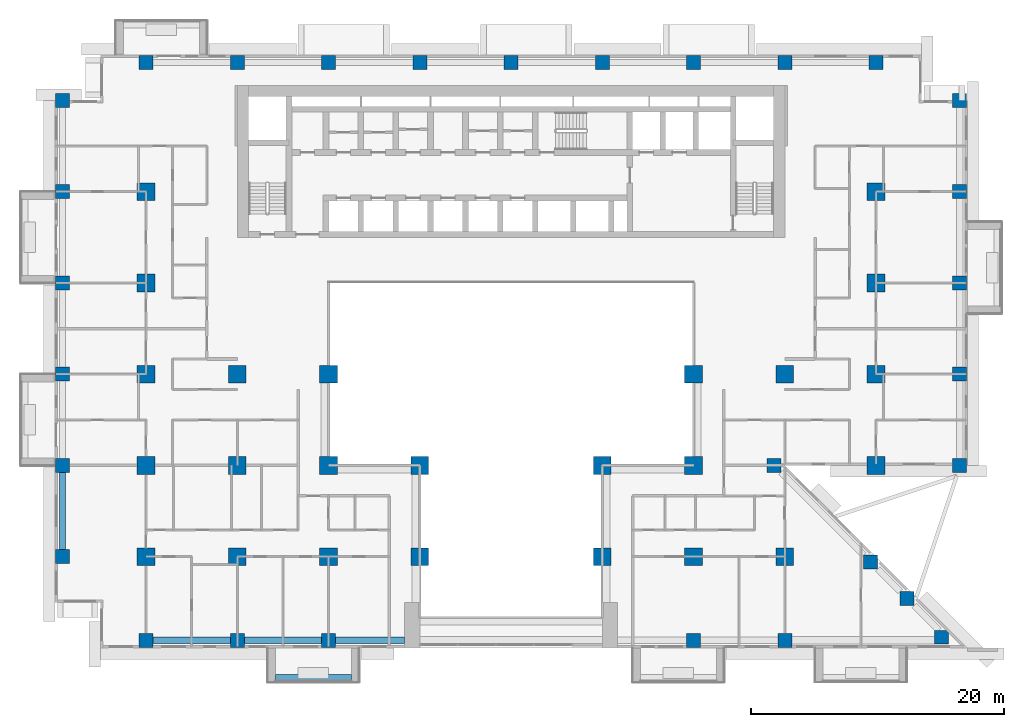
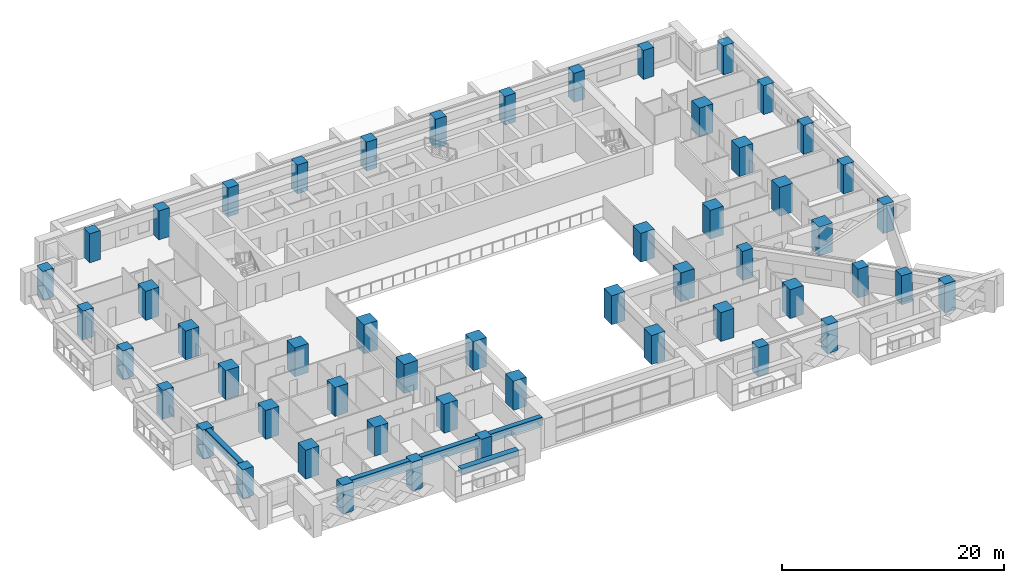
# One storey, part 1 of 17: 53 columns, 5 beams.
"""IFC4 building model written with IfcOpenShell, lengths in metres."""

from ifc_helpers import new_model, si_unit, direction, frame, origin, origin_2d, place, context, subcontext, project, spatial, rectangle, extrude, source, transform, mapped, material, material_profile, profile_set, type_object, element, save


model = new_model("IFC4")

# Units and contexts
model_context = context("Model", 3, precision=1e-05, world=origin(), true_north=direction((0.0, 1.0)))
body_context = subcontext(model_context, "Body", "Model", "MODEL_VIEW")
ifc_project = project(units=[si_unit("LENGTHUNIT", "METRE"), si_unit("AREAUNIT", "SQUARE_METRE"), si_unit("VOLUMEUNIT", "CUBIC_METRE"), si_unit("PLANEANGLEUNIT", "RADIAN"), si_unit("MASSUNIT", "GRAM", prefix="KILO")], contexts=[model_context])

# Site, building, storey
site_placement = place(None, origin())
site = spatial("IfcSite", under=ifc_project, at=site_placement, CompositionType="ELEMENT")
building_placement = place(site_placement, origin())
building = spatial("IfcBuilding", under=site, at=building_placement, Name="Saffron Iwan Residences", CompositionType="ELEMENT")
storey_placement = place(building_placement, frame((0.0, 0.0, 58.5)))
storey = spatial("IfcBuildingStorey", under=building, at=storey_placement, Name="L14", CompositionType="ELEMENT", Elevation=58.5)

# Columns
ifc_material_1 = material(Name="Concrete C60/75", Category="concrete")
ifc_material_profile_1 = material_profile(ifc_material_1, rectangle(XDim=1.10009765625, YDim=1.10009765625, at=origin_2d()), Name="RC 1100x1100")
ifc_profile_set_1 = profile_set([ifc_material_profile_1], Name="Concrete C60/75")
column_type_1 = type_object("IfcColumnType", Name="COL RC 1100x1100 C60/75 3180 HIGH", PredefinedType="COLUMN", material=ifc_profile_set_1)
shared_shape_1 = source(origin(), body_context, "Body", "SweptSolid", [
    extrude(rectangle(XDim=1.10009765625, YDim=1.10009765625, at=origin_2d()), origin(), (0.0, 0.0, 1.0), 3.179931640625),
])
for number, where, z_axis, x_axis, name in (
    (1, (21.60009765625, 34.199951171875, 0.0), (0.0, 0.0, 1.0), (1.0, 0.0, 0.0), "Column C038"),
    (2, (28.800048828125, 34.199951171875, 0.0), (0.0, 0.0, 1.0), (1.0, 0.0, 0.0), "Column C039"),
    (3, (36.0, 34.199951171875, 0.0), (0.0, 0.0, 1.0), (1.0, 0.0, 0.0), "Column C040"),
    (4, (64.800048828125, 34.199951171875, 0.0), (0.0, 0.0, 1.0), (1.0, 0.0, 0.0), "Column C041"),
    (5, (72.0, 34.199951171875, 0.0), (0.0, 0.0, 1.0), (1.0, 0.0, 0.0), "Column C042"),
    (6, (84.367431640625, 34.44189453125, 0.0), (0.0, 0.0, 1.0), (1.0, 0.0, 0.0), "Column C043"),
    (7, (81.65576171875, 37.49560546875, 0.0), (0.0, 0.0, 1.0), (1.0, 0.0, 0.0), "Column C044"),
    (8, (78.775634765625, 40.375732421875, 0.0), (0.0, 0.0, 1.0), (1.0, 0.0, 0.0), "Column C047"),
    (9, (15.0, 40.800048828125, 0.0), (0.0, 0.0, 1.0), (1.0, 0.0, 0.0), "Column C048"),
    (10, (15.0, 48.0, 0.0), (0.0, 0.0, 1.0), (1.0, 0.0, 0.0), "Column C061"),
    (11, (71.14990234375, 48.0, 0.0), (0.0, 0.0, 1.0), (1.0, 0.0, 0.0), "Column C070"),
    (12, (85.800048828125, 48.0, 0.0), (0.0, 0.0, 1.0), (1.0, 0.0, 0.0), "Column C074"),
    (13, (15.0, 55.199951171875, 0.0), (0.0, 0.0, 1.0), (1.0, 0.0, 0.0), "Column C077"),
    (14, (85.800048828125, 55.199951171875, 0.0), (0.0, 0.0, 1.0), (1.0, 0.0, 0.0), "Column C086"),
    (15, (15.0, 62.39990234375, 0.0), (0.0, 0.0, 1.0), (1.0, 0.0, 0.0), "Column C089"),
    (16, (85.800048828125, 62.39990234375, 0.0), (0.0, 0.0, 1.0), (1.0, 0.0, 0.0), "Column C094"),
    (17, (15.0, 69.60009765625, 0.0), (0.0, 0.0, 1.0), (1.0, 0.0, 0.0), "Column C097"),
    (18, (85.800048828125, 69.60009765625, 0.0), (0.0, 0.0, 1.0), (1.0, 0.0, 0.0), "Column C102"),
    (19, (15.0, 76.800048828125, 0.0), (0.0, 0.0, 1.0), (1.0, 0.0, 0.0), "Column C105"),
    (20, (85.800048828125, 76.800048828125, 0.0), (0.0, 0.0, 1.0), (1.0, 0.0, 0.0), "Column C110"),
    (21, (21.60009765625, 79.800048828125, 0.0), (0.0, 0.0, 1.0), (1.0, 0.0, 0.0), "Column C113"),
    (22, (28.800048828125, 79.800048828125, 0.0), (0.0, 0.0, 1.0), (1.0, 0.0, 0.0), "Column C115"),
    (23, (36.0, 79.800048828125, 0.0), (0.0, 0.0, 1.0), (1.0, 0.0, 0.0), "Column C116"),
    (24, (43.199951171875, 79.800048828125, 0.0), (0.0, 0.0, 1.0), (1.0, 0.0, 0.0), "Column C117"),
    (25, (50.39990234375, 79.800048828125, 0.0), (0.0, 0.0, 1.0), (1.0, 0.0, 0.0), "Column C118"),
    (26, (57.60009765625, 79.800048828125, 0.0), (0.0, 0.0, 1.0), (1.0, 0.0, 0.0), "Column C119"),
    (27, (64.800048828125, 79.800048828125, 0.0), (0.0, 0.0, 1.0), (1.0, 0.0, 0.0), "Column C120"),
    (28, (72.0, 79.800048828125, 0.0), (0.0, 0.0, 1.0), (1.0, 0.0, 0.0), "Column C121"),
    (29, (79.199951171875, 79.800048828125, 0.0), (0.0, 0.0, 1.0), (1.0, 0.0, 0.0), "Column C123"),
):
    element("IfcColumn", number, at=place(storey_placement, frame(where, z_axis=z_axis, x_axis=x_axis)), inside=storey, type_object=column_type_1, Name=name, PredefinedType="COLUMN", context=body_context, shape_type="MappedRepresentation", body=[
        mapped(shared_shape_1, transform((0.0, 0.0, 0.0))),
    ])
ifc_material_profile_2 = material_profile(ifc_material_1, rectangle(XDim=1.39990234375, YDim=1.39990234375, at=origin_2d()), Name="RC 1400x1400")
ifc_profile_set_2 = profile_set([ifc_material_profile_2], Name="Concrete C60/75")
column_type_2 = type_object("IfcColumnType", Name="COL RC 1400x1400 C60/75 3180 HIGH", PredefinedType="COLUMN", material=ifc_profile_set_2)
shared_shape_2 = source(origin(), body_context, "Body", "SweptSolid", [
    extrude(rectangle(XDim=1.39990234375, YDim=1.39990234375, at=origin_2d()), origin(), (0.0, 0.0, 1.0), 3.179931640625),
])
for number, where, z_axis, x_axis, name in (
    (30, (21.60009765625, 40.800048828125, 0.0), (0.0, 0.0, 1.0), (1.0, 0.0, 0.0), "Column C049"),
    (31, (28.800048828125, 40.800048828125, 0.0), (0.0, 0.0, 1.0), (1.0, 0.0, 0.0), "Column C051"),
    (32, (36.0, 40.800048828125, 0.0), (0.0, 0.0, 1.0), (1.0, 0.0, 0.0), "Column C052"),
    (33, (43.199951171875, 40.800048828125, 0.0), (0.0, 0.0, 1.0), (1.0, 0.0, 0.0), "Column C053"),
    (34, (57.60009765625, 40.800048828125, 0.0), (0.0, 0.0, 1.0), (1.0, 0.0, 0.0), "Column C054"),
    (35, (64.800048828125, 40.800048828125, 0.0), (0.0, 0.0, 1.0), (1.0, 0.0, 0.0), "Column C055"),
    (36, (72.0, 40.800048828125, 0.0), (0.0, 0.0, 1.0), (1.0, 0.0, 0.0), "Column C056"),
    (37, (21.60009765625, 48.0, 0.0), (0.0, 0.0, 1.0), (1.0, 0.0, 0.0), "Column C063"),
    (38, (28.800048828125, 48.0, 0.0), (0.0, 0.0, 1.0), (1.0, 0.0, 0.0), "Column C064"),
    (39, (36.0, 48.0, 0.0), (0.0, 0.0, 1.0), (1.0, 0.0, 0.0), "Column C065"),
    (40, (43.199951171875, 48.0, 0.0), (0.0, 0.0, 1.0), (1.0, 0.0, 0.0), "Column C066"),
    (41, (57.60009765625, 48.0, 0.0), (0.0, 0.0, 1.0), (1.0, 0.0, 0.0), "Column C068"),
    (42, (64.800048828125, 48.0, 0.0), (0.0, 0.0, 1.0), (1.0, 0.0, 0.0), "Column C069"),
    (43, (79.199951171875, 48.0, 0.0), (0.0, 0.0, 1.0), (1.0, 0.0, 0.0), "Column C072"),
    (44, (21.60009765625, 55.199951171875, 0.0), (0.0, 0.0, 1.0), (1.0, 0.0, 0.0), "Column C079"),
    (45, (28.800048828125, 55.199951171875, 0.0), (0.0, 0.0, 1.0), (1.0, 0.0, 0.0), "Column C080"),
    (46, (36.0, 55.199951171875, 0.0), (0.0, 0.0, 1.0), (1.0, 0.0, 0.0), "Column C081"),
    (47, (64.800048828125, 55.199951171875, 0.0), (0.0, 0.0, 1.0), (1.0, 0.0, 0.0), "Column C082"),
    (48, (72.0, 55.199951171875, 0.0), (0.0, 0.0, 1.0), (1.0, 0.0, 0.0), "Column C083"),
    (49, (79.199951171875, 55.199951171875, 0.0), (0.0, 0.0, 1.0), (1.0, 0.0, 0.0), "Column C084"),
    (50, (21.60009765625, 62.39990234375, 0.0), (0.0, 0.0, 1.0), (1.0, 0.0, 0.0), "Column C091"),
    (51, (79.199951171875, 62.39990234375, 0.0), (0.0, 0.0, 1.0), (1.0, 0.0, 0.0), "Column C092"),
    (52, (21.60009765625, 69.60009765625, 0.0), (0.0, 0.0, 1.0), (1.0, 0.0, 0.0), "Column C099"),
    (53, (79.199951171875, 69.60009765625, 0.0), (0.0, 0.0, 1.0), (1.0, 0.0, 0.0), "Column C100"),
):
    element("IfcColumn", number, at=place(storey_placement, frame(where, z_axis=z_axis, x_axis=x_axis)), inside=storey, type_object=column_type_2, Name=name, PredefinedType="COLUMN", context=body_context, shape_type="MappedRepresentation", body=[
        mapped(shared_shape_2, transform((0.0, 0.0, 0.0))),
    ])

# Beams
ifc_material_profile_3 = material_profile(ifc_material_1, rectangle(XDim=0.5, YDim=0.89990234375, at=origin_2d()), Name="RC 500x900")
ifc_profile_set_3 = profile_set([ifc_material_profile_3], Name="Concrete C60/75")
beam_type_1 = type_object("IfcBeamType", Name="SPANDREL BEAM RC 500x900 C60/75 TOP 3180", PredefinedType="SPANDREL", material=ifc_profile_set_3)
shared_shape_3 = source(origin(), body_context, "Body", "SweptSolid", [
    extrude(rectangle(XDim=0.5, YDim=0.89990234375, at=origin_2d()), origin(), (0.0, 0.0, 1.0), 6.10009765625),
])
beam_1_placement = place(storey_placement, frame((28.25, 34.199951171875, 2.72998046875), z_axis=(-1.0, 0.0, 0.0), x_axis=(0.0, -1.0, 0.0)))
element("IfcBeam", 54, at=beam_1_placement, inside=storey, type_object=beam_type_1, Name="Spandrel beam", PredefinedType="SPANDREL", context=body_context, shape_type="MappedRepresentation", body=[
    mapped(shared_shape_3, transform((0.0, 0.0, 0.0))),
])
shared_shape_4 = source(origin(), body_context, "Body", "SweptSolid", [
    extrude(rectangle(XDim=0.5, YDim=0.89990234375, at=origin_2d()), origin(), (0.0, 0.0, 1.0), 6.099853515625),
])
for number, where, z_axis, x_axis, name in (
    (55, (35.449951171875, 34.199951171875, 2.72998046875), (-1.0, 0.0, 0.0), (0.0, -1.0, 0.0), "Spandrel beam"),
    (56, (15.0, 41.35009765625, 2.72998046875), (0.0, 1.0, 0.0), (-1.0, 0.0, 0.0), "Spandrel beam"),
):
    element("IfcBeam", number, at=place(storey_placement, frame(where, z_axis=z_axis, x_axis=x_axis)), inside=storey, type_object=beam_type_1, Name=name, PredefinedType="SPANDREL", context=body_context, shape_type="MappedRepresentation", body=[
        mapped(shared_shape_4, transform((0.0, 0.0, 0.0))),
    ])
shared_shape_5 = source(origin(), body_context, "Body", "SweptSolid", [
    extrude(rectangle(XDim=0.5, YDim=0.89990234375, at=origin_2d()), origin(), (0.0, 0.0, 1.0), 5.449951171875),
])
beam_2_placement = place(storey_placement, frame((42.0, 34.199951171875, 2.72998046875), z_axis=(-1.0, 0.0, 0.0), x_axis=(0.0, -1.0, 0.0)))
element("IfcBeam", 57, at=beam_2_placement, inside=storey, type_object=beam_type_1, Name="Spandrel beam", PredefinedType="SPANDREL", context=body_context, shape_type="MappedRepresentation", body=[
    mapped(shared_shape_5, transform((0.0, 0.0, 0.0))),
])
ifc_material_2 = material(Name="Concrete C50/60 white painted", Category="concrete")
ifc_material_profile_4 = material_profile(ifc_material_2, rectangle(XDim=0.60009765625, YDim=0.60009765625, at=origin_2d()), Name="BALCONY FASCIA BEAM 600 x 600")
ifc_profile_set_4 = profile_set([ifc_material_profile_4], Name="Concrete C50/60 white painted")
beam_type_2 = type_object("IfcBeamType", Name="BALCONY FASCIA BEAM 600 x 600", PredefinedType="BEAM", material=ifc_profile_set_4)
shared_shape_6 = source(origin(), body_context, "Body", "SweptSolid", [
    extrude(rectangle(XDim=0.60009765625, YDim=0.60009765625, at=origin_2d()), origin(), (0.0, 0.0, 1.0), 6.0),
])
beam_3_placement = place(storey_placement, frame((31.800048828125, 31.199951171875, 2.550048828125), z_axis=(1.0, 0.0, 0.0), x_axis=(0.0, 1.0, 0.0)))
element("IfcBeam", 58, at=beam_3_placement, inside=storey, type_object=beam_type_2, Name="Balcony fascia beam L14 11-0", PredefinedType="BEAM", context=body_context, shape_type="MappedRepresentation", body=[
    mapped(shared_shape_6, transform((0.0, 0.0, 0.0))),
])

save(model, "model.ifc")
